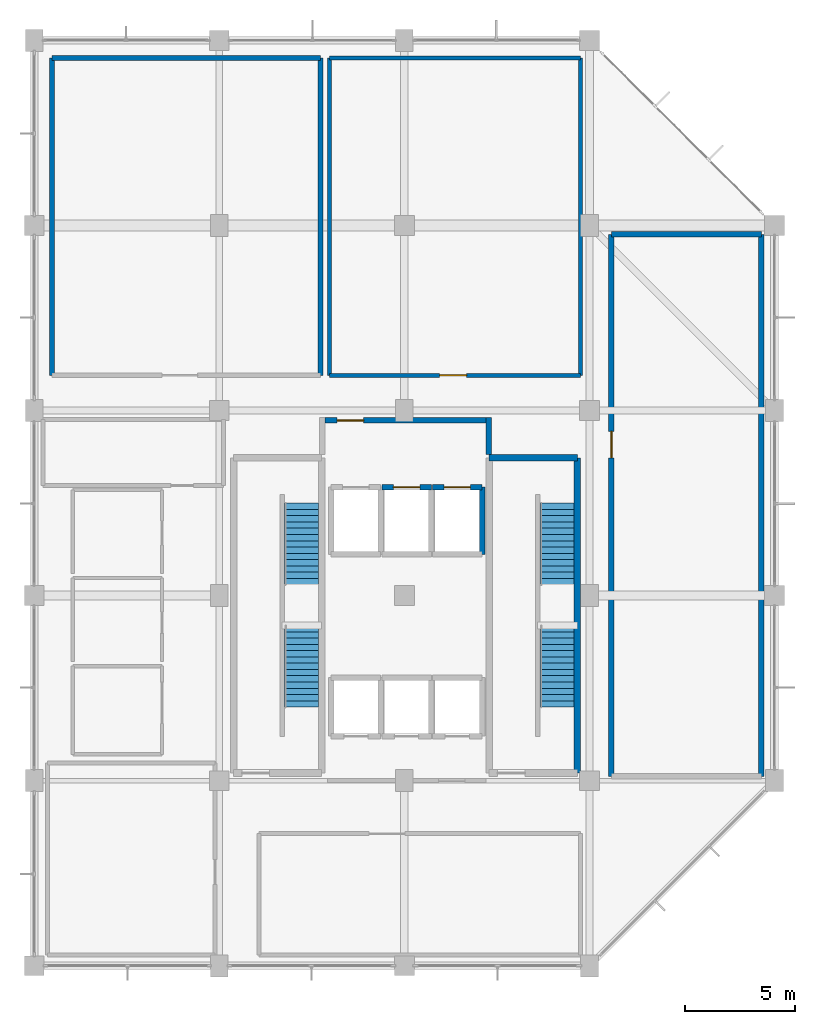
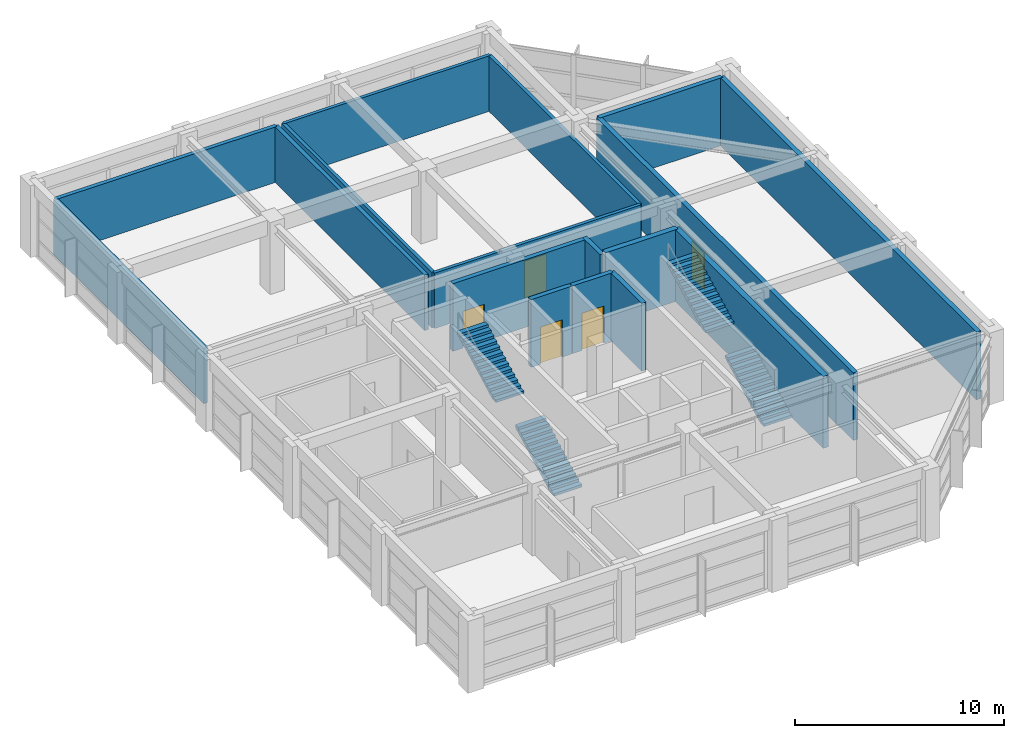
# One storey, part 11 of 12: 17 walls, 5 doors, 4 stair flights, 5 openings, 2 elements without a shape of their own.
"""IFC4 building model written with IfcOpenShell, lengths in metres."""

import ifcopenshell
import ifcopenshell.guid

model = None  # the IFC model being written
_history = None  # IfcOwnerHistory: only IFC2X3 demands one
_inside = {}  # id of a spatial element -> (the spatial element, [elements in it])
_under = {}  # id of a project, library or spatial element -> (it, [spatial elements below it])
_declared = {}  # id of a project -> (the project, [libraries it declares])
_typed = {}  # id of a type object -> (the type object, [elements of that type])
_made_of = {}  # id of a material, layer set ... -> (it, [elements and type objects made of it])


def new_model(schema):
    """Start an empty IFC model of exactly this schema.

    Asked for "IFC4X3", IfcOpenShell would pick the latest addendum, in which some entities
    have other attributes; the version numbers below select the first issue.
    IFC2X3 requires an IfcOwnerHistory on every rooted entity: one is made here for all.
    """
    global model, _history
    if schema == "IFC4X3":
        model = ifcopenshell.file(schema_version=(4, 3, 0, 0))
    else:
        model = ifcopenshell.file(schema=schema)
    _inside.clear()
    _under.clear()
    _declared.clear()
    _typed.clear()
    _made_of.clear()
    _history = None
    if model.schema == "IFC2X3":
        org = make("IfcOrganization", Name="unknown")
        user = make(
            "IfcPersonAndOrganization",
            ThePerson=make("IfcPerson", FamilyName="unknown"),
            TheOrganization=org,
        )
        app = make(
            "IfcApplication",
            ApplicationDeveloper=org,
            Version="unknown",
            ApplicationFullName="unknown",
            ApplicationIdentifier="unknown",
        )
        _history = make(
            "IfcOwnerHistory",
            OwningUser=user,
            OwningApplication=app,
            ChangeAction="ADDED",
            CreationDate=0,
        )
    return model


def make(cls, **values):
    """One entity of the class cls with the attributes given. An attribute that is None is left unset."""
    return model.create_entity(
        cls, **{name: value for name, value in values.items() if value is not None}
    )


def rooted(cls, **values):
    """An entity with a GlobalId (a new one), such as an element, a storey or a relation."""
    return make(cls, GlobalId=ifcopenshell.guid.new(), OwnerHistory=_history, **values)


def si_unit(unit_type, name, prefix=None):
    """IfcSIUnit, for example si_unit("LENGTHUNIT", "METRE", prefix="MILLI")."""
    return make("IfcSIUnit", UnitType=unit_type, Prefix=prefix, Name=name)


def assignment(units):
    """IfcUnitAssignment: the units of a project."""
    return None if units is None else make("IfcUnitAssignment", Units=units)


def point(xyz):
    """IfcCartesianPoint."""
    return None if xyz is None else make("IfcCartesianPoint", Coordinates=xyz)


def direction(xyz):
    """IfcDirection."""
    return None if xyz is None else make("IfcDirection", DirectionRatios=xyz)


def frame(location, z_axis=None, x_axis=None):
    """IfcAxis2Placement3D, a coordinate frame: its origin and axes. An axis left out is left unset."""
    return make(
        "IfcAxis2Placement3D",
        Location=point(location),
        Axis=direction(z_axis),
        RefDirection=direction(x_axis),
    )


def frame_2d(location, x_axis=None):
    """IfcAxis2Placement2D, a coordinate frame in the plane: its origin and x axis."""
    return make(
        "IfcAxis2Placement2D", Location=point(location), RefDirection=direction(x_axis)
    )


def origin():
    """The frame at (0, 0, 0) with its axes left unset."""
    return frame((0.0, 0.0, 0.0))


def place(relative_to, where):
    """IfcLocalPlacement: puts the frame where relative to a parent placement (None: the world)."""
    return make(
        "IfcLocalPlacement", PlacementRelTo=relative_to, RelativePlacement=where
    )


def context(
    kind, dimensions, precision=None, world=None, true_north=None, identifier=None
):
    """IfcGeometricRepresentationContext, for example the 3D "Model" context."""
    return make(
        "IfcGeometricRepresentationContext",
        ContextIdentifier=identifier,
        ContextType=kind,
        CoordinateSpaceDimension=dimensions,
        Precision=precision,
        WorldCoordinateSystem=world,
        TrueNorth=true_north,
    )


def subcontext(parent, identifier, kind, view, scale=None):
    """IfcGeometricRepresentationSubContext, for example "Body" below "Model"."""
    return make(
        "IfcGeometricRepresentationSubContext",
        ContextIdentifier=identifier,
        ContextType=kind,
        ParentContext=parent,
        TargetScale=scale,
        TargetView=view,
    )


def project(units=None, contexts=None):
    """IfcProject with its units and contexts."""
    return rooted(
        "IfcProject",
        Name="project",
        RepresentationContexts=contexts,
        UnitsInContext=assignment(units),
    )


def spatial(cls, under=None, at=None, **own):
    """A site, building, storey or space (cls), placed at a placement, below another one or the project."""
    s = rooted(cls, ObjectPlacement=at, **own)
    if under is not None:
        _under.setdefault(under.id(), (under, []))[1].append(s)
    return s


def polyline(points):
    """IfcPolyline through the points."""
    return make("IfcPolyline", Points=[point(p) for p in points])


def profile(cls, at=None, kind="AREA", **sizes):
    """A parametric profile (cls). Its sizes go by their IFC names, for example OverallWidth=200.0."""
    return make(cls, ProfileType=kind, Position=at, **sizes)


def rectangle(**sizes):
    """IfcRectangleProfileDef."""
    return profile("IfcRectangleProfileDef", **sizes)


def outline(outer, holes=None, kind="AREA"):
    """IfcArbitraryClosedProfileDef: a profile drawn as a closed curve; with holes, ...WithVoids."""
    if holes is None:
        return make("IfcArbitraryClosedProfileDef", ProfileType=kind, OuterCurve=outer)
    return make(
        "IfcArbitraryProfileDefWithVoids",
        ProfileType=kind,
        OuterCurve=outer,
        InnerCurves=holes,
    )


def extrude(swept, where, along, depth):
    """IfcExtrudedAreaSolid: the profile swept, set in the frame where, extruded along a direction by depth."""
    return make(
        "IfcExtrudedAreaSolid",
        SweptArea=swept,
        Position=where,
        ExtrudedDirection=direction(along),
        Depth=depth,
    )


def shape(context_of_items, identifier, shape_type, items):
    """IfcShapeRepresentation: the items that make up one representation, for example the "Body"."""
    return make(
        "IfcShapeRepresentation",
        ContextOfItems=context_of_items,
        RepresentationIdentifier=identifier,
        RepresentationType=shape_type,
        Items=items,
    )


def material(Name=None, Category=None):
    """IfcMaterial."""
    return make("IfcMaterial", Name=Name, Category=Category)


def layer(
    of_material, thickness, ventilated=None, Name=None, Category=None, Priority=None
):
    """IfcMaterialLayer: one layer of a wall or slab, of a material (None: an air gap)."""
    return make(
        "IfcMaterialLayer",
        Material=of_material,
        LayerThickness=thickness,
        IsVentilated=ventilated,
        Name=Name,
        Category=Category,
        Priority=Priority,
    )


def layer_set(layers, Name=None):
    """IfcMaterialLayerSet."""
    return make("IfcMaterialLayerSet", MaterialLayers=layers, LayerSetName=Name)


def made_of(thing, what):
    """Note that an element or type object is made of a material, layer set ...; save() writes the relation."""
    if what is not None:
        _made_of.setdefault(what.id(), (what, []))[1].append(thing)
    return thing


def type_object(cls, material=None, **own):
    """A type object (cls), such as IfcWallType, which elements share."""
    return made_of(rooted(cls, **own), material)


def element(
    cls,
    number,
    at=None,
    inside=None,
    cuts=None,
    type_object=None,
    material=None,
    context=None,
    identifier="Body",
    shape_type=None,
    held_by="IfcProductDefinitionShape",
    body=None,
    shapes=None,
    **own,
):
    """One element of the class cls, such as IfcWall. Its Tag is "e" and its number.

    at: its placement. inside: the storey or other place that contains it. cuts: it is an
    opening in that element (IfcRelVoidsElement). A single representation is given by context,
    identifier, shape_type and body (its items); several are given by shapes. held_by: the class
    of the entity that holds the representations. save() writes the other relations.
    """
    e = rooted(cls, Tag="e%d" % number, ObjectPlacement=at, **own)
    if body is not None:
        shapes = [shape(context, identifier, shape_type, body)]
    if shapes is not None:
        e.Representation = make(held_by, Representations=shapes)
    if inside is not None:
        _inside.setdefault(inside.id(), (inside, []))[1].append(e)
    if cuts is not None:
        rooted(
            "IfcRelVoidsElement", RelatingBuildingElement=cuts, RelatedOpeningElement=e
        )
    if type_object is not None:
        _typed.setdefault(type_object.id(), (type_object, []))[1].append(e)
    return made_of(e, material)


def fill(opening, filler):
    """IfcRelFillsElement: the door or window that sits in an opening."""
    return rooted(
        "IfcRelFillsElement",
        RelatingOpeningElement=opening,
        RelatedBuildingElement=filler,
    )


def aggregate(whole, parts):
    """IfcRelAggregates: a whole, such as a stair, and the parts it consists of."""
    return rooted("IfcRelAggregates", RelatingObject=whole, RelatedObjects=parts)


def save(model, path):
    """Write the relations noted so far, then the file.

    IfcRelAggregates (storeys below a building ...), IfcRelContainedInSpatialStructure (elements
    in a storey), IfcRelDefinesByType, IfcRelAssociatesMaterial and IfcRelDeclares: one each for
    every whole, place, type object, material and project.
    """
    for whole, parts in _under.values():
        aggregate(whole, parts)
    for where, things in _inside.values():
        rooted(
            "IfcRelContainedInSpatialStructure",
            RelatedElements=things,
            RelatingStructure=where,
        )
    for kind, things in _typed.values():
        rooted("IfcRelDefinesByType", RelatedObjects=things, RelatingType=kind)
    for what, things in _made_of.values():
        rooted("IfcRelAssociatesMaterial", RelatedObjects=things, RelatingMaterial=what)
    for by, libraries in _declared.values():
        rooted("IfcRelDeclares", RelatingContext=by, RelatedDefinitions=libraries)
    model.write(path)


model = new_model("IFC4")

# Units and contexts
model_context = context("Model", 3, precision=1e-05, world=origin(), true_north=direction((0.0, 1.0)))
body_context = subcontext(model_context, "Body", "Model", "MODEL_VIEW")
ifc_project = project(units=[si_unit("LENGTHUNIT", "METRE"), si_unit("AREAUNIT", "SQUARE_METRE"), si_unit("VOLUMEUNIT", "CUBIC_METRE"), si_unit("PLANEANGLEUNIT", "RADIAN"), si_unit("MASSUNIT", "GRAM", prefix="KILO")], contexts=[model_context])

# Site, building, storey
site_placement = place(None, origin())
site = spatial("IfcSite", under=ifc_project, at=site_placement, CompositionType="ELEMENT")
building_placement = place(site_placement, origin())
building = spatial("IfcBuilding", under=site, at=building_placement, Name="Xuanlan Plaza Opera House", CompositionType="ELEMENT")
storey_placement = place(building_placement, frame((0.0, 0.0, 65.699951171875)))
storey = spatial("IfcBuildingStorey", under=building, at=storey_placement, Name="L15", CompositionType="ELEMENT", Elevation=65.699951171875)

# Wall, opening, door
ifc_material_1 = material(Name="Gypsum Board and Galvanised Steel Studs", Category="gypsum")
ifc_layer_1 = layer(ifc_material_1, 0.179931640625)
ifc_layer_set_1 = layer_set([ifc_layer_1], Name="Gypsum Board and Galvanised Steel Studs")
wall_type_1 = type_object("IfcWallType", Name="INT-WL-PW-02", PredefinedType="PARTITIONING", material=ifc_layer_set_1)
wall_1_placement = place(storey_placement, frame((139.39990234375, 68.800048828125, 0.0), z_axis=(0.0, 0.0, 1.0), x_axis=(1.0, 0.0, 0.0)))
wall_1 = element("IfcWall", 1, at=wall_1_placement, inside=storey, type_object=wall_type_1, Name="Patron Salon and Cultural Council Room Wall South", PredefinedType="PARTITIONING", context=body_context, shape_type="SweptSolid", body=[
    extrude(rectangle(XDim=11.400146484375, YDim=0.179931640625, at=frame_2d((5.7001953125, 0.0))), origin(), (0.0, 0.0, 1.0), 3.239990234375),
])
opening_1_placement = place(wall_1_placement, frame((5.0, 0.0, 0.0)))
opening_1 = element("IfcOpeningElement", 2, at=opening_1_placement, cuts=wall_1, Name="Opening D-05", PredefinedType="OPENING", context=body_context, shape_type="SweptSolid", body=[
    extrude(rectangle(XDim=1.219970703125, YDim=2.14990234375, at=frame_2d((0.60986328125, 1.074951171875))), frame((0.0, 0.099853515625, 0.0), z_axis=(0.0, -1.0, 0.0), x_axis=(1.0, 0.0, 0.0)), (0.0, 0.0, 1.0), 0.199951171875),
])
ifc_material_2 = material(Name="Walnut Hardwood Timber", Category="wood")
door_type_1 = type_object("IfcDoorType", Name="INT-DR-D-05", OperationType="NOTDEFINED", PredefinedType="DOOR", material=ifc_material_2)
door_1_placement = place(opening_1_placement, origin())
door_1 = element("IfcDoor", 3, at=door_1_placement, inside=storey, type_object=door_type_1, Name="Patron Salon and Cultural Council Room Door 1", OperationType="SINGLE_SWING_LEFT", OverallHeight=2.14990234375, OverallWidth=1.219970703125, PredefinedType="DOOR", context=body_context, shape_type="SweptSolid", body=[
    extrude(rectangle(XDim=1.219970703125, YDim=2.14990234375, at=frame_2d((0.60986328125, 1.074951171875))), frame((0.0, 0.02490234375, 0.0), z_axis=(0.0, -1.0, 0.0), x_axis=(1.0, 0.0, 0.0)), (0.0, 0.0, 1.0), 0.050048828125),
])
fill(opening_1, door_1)

# Walls
wall_2_placement = place(storey_placement, frame((139.39990234375, 83.199951171875, 0.0), z_axis=(0.0, 0.0, 1.0), x_axis=(1.0, 0.0, 0.0)))
element("IfcWall", 4, at=wall_2_placement, inside=storey, type_object=wall_type_1, Name="Patron Salon and Cultural Council Room Wall North", PredefinedType="PARTITIONING", context=body_context, shape_type="SweptSolid", body=[
    extrude(rectangle(XDim=11.400146484375, YDim=0.179931640625, at=frame_2d((5.7001953125, 0.0))), origin(), (0.0, 0.0, 1.0), 3.239990234375),
])
for number, where, z_axis, x_axis, name in (
    (5, (139.39990234375, 68.800048828125, 0.0), (0.0, 0.0, 1.0), (0.0, 1.0, 0.0), "Patron Salon and Cultural Council Room Wall West"),
    (6, (150.800048828125, 68.800048828125, 0.0), (0.0, 0.0, 1.0), (0.0, 1.0, 0.0), "Patron Salon and Cultural Council Room Wall East"),
):
    element("IfcWall", number, at=place(storey_placement, frame(where, z_axis=z_axis, x_axis=x_axis)), inside=storey, type_object=wall_type_1, Name=name, PredefinedType="PARTITIONING", context=body_context, shape_type="SweptSolid", body=[
        extrude(rectangle(XDim=14.39990234375, YDim=0.179931640625, at=frame_2d((7.199951171875, 0.0))), origin(), (0.0, 0.0, 1.0), 3.239990234375),
    ])
ifc_material_3 = material(Name="Autoclaved Aerated Blockwork Masonry", Category="masonry")
ifc_layer_2 = layer(ifc_material_3, 0.219970703125)
ifc_layer_set_2 = layer_set([ifc_layer_2], Name="Autoclaved Aerated Blockwork Masonry")
wall_type_2 = type_object("IfcWallType", Name="INT-WL-PW-06", PredefinedType="PARTITIONING", material=ifc_layer_set_2)
wall_3_placement = place(storey_placement, frame((126.800048828125, 83.199951171875, 0.0), z_axis=(0.0, 0.0, 1.0), x_axis=(1.0, 0.0, 0.0)))
element("IfcWall", 7, at=wall_3_placement, inside=storey, type_object=wall_type_2, Name="Endowment Executive Suite West Wall North", PredefinedType="PARTITIONING", context=body_context, shape_type="SweptSolid", body=[
    extrude(rectangle(XDim=12.199951171875, YDim=0.219970703125, at=frame_2d((6.10009765625, 0.0))), origin(), (0.0, 0.0, 1.0), 3.239990234375),
])
for number, where, z_axis, x_axis, name in (
    (8, (126.800048828125, 68.800048828125, 0.0), (0.0, 0.0, 1.0), (0.0, 1.0, 0.0), "Endowment Executive Suite West Wall West"),
    (9, (139.0, 68.800048828125, 0.0), (0.0, 0.0, 1.0), (0.0, 1.0, 0.0), "Endowment Executive Suite West Wall East"),
):
    element("IfcWall", number, at=place(storey_placement, frame(where, z_axis=z_axis, x_axis=x_axis)), inside=storey, type_object=wall_type_2, Name=name, PredefinedType="PARTITIONING", context=body_context, shape_type="SweptSolid", body=[
        extrude(rectangle(XDim=14.39990234375, YDim=0.219970703125, at=frame_2d((7.199951171875, 0.0))), origin(), (0.0, 0.0, 1.0), 3.239990234375),
    ])

# Wall, opening, door
ifc_material_4 = material(Name="Concrete C40", Category="concrete")
ifc_layer_3 = layer(ifc_material_4, 0.25)
ifc_layer_set_3 = layer_set([ifc_layer_3], Name="Concrete C40")
wall_type_3 = type_object("IfcWallType", Name="INT-WL-SW-LF1", PredefinedType="SHEAR", material=ifc_layer_set_3)
wall_4_placement = place(storey_placement, frame((141.77490234375, 63.72509765625, 0.0), z_axis=(0.0, 0.0, 1.0), x_axis=(1.0, 0.0, 0.0)))
wall_4 = element("IfcWall", 10, at=wall_4_placement, inside=storey, type_object=wall_type_3, Name="Lift Shaft Wall LF-FF2 L15 North", PredefinedType="SHEAR", context=body_context, shape_type="SweptSolid", body=[
    extrude(rectangle(XDim=2.25, YDim=0.25, at=frame_2d((1.125, 0.0))), origin(), (0.0, 0.0, 1.0), 3.9599609375),
])
opening_2_placement = place(wall_4_placement, frame((0.52490234375, 0.0, 0.0)))
opening_2 = element("IfcOpeningElement", 11, at=opening_2_placement, cuts=wall_4, Name="Opening LD-FF2-L15", PredefinedType="OPENING", context=body_context, shape_type="SweptSolid", body=[
    extrude(rectangle(XDim=1.199951171875, YDim=2.179931640625, at=frame_2d((0.60009765625, 1.08984375))), frame((0.0, 0.135009765625, 0.0), z_axis=(0.0, -1.0, 0.0), x_axis=(1.0, 0.0, 0.0)), (0.0, 0.0, 1.0), 0.27001953125),
])
ifc_material_5 = material(Name="Stainless Steel S30408", Category="steel")
door_type_2 = type_object("IfcDoorType", Name="INT-DR-LD-02", OperationType="DOUBLE_DOOR_SLIDING", PredefinedType="DOOR", material=ifc_material_5)
door_2_placement = place(opening_2_placement, origin())
door_2 = element("IfcDoor", 12, at=door_2_placement, inside=storey, type_object=door_type_2, Name="Lift Sliding Landing Door LF-FF2 L15", OperationType="DOUBLE_DOOR_SLIDING", OverallHeight=2.179931640625, OverallWidth=1.199951171875, PredefinedType="DOOR", context=body_context, shape_type="SweptSolid", body=[
    extrude(rectangle(XDim=1.199951171875, YDim=2.179931640625, at=frame_2d((0.60009765625, 1.08984375))), frame((0.0, 0.02490234375, 0.0), z_axis=(0.0, -1.0, 0.0), x_axis=(1.0, 0.0, 0.0)), (0.0, 0.0, 1.0), 0.050048828125),
])
fill(opening_2, door_2)

wall_5_placement = place(storey_placement, frame((144.074951171875, 63.72509765625, 0.0), z_axis=(0.0, 0.0, 1.0), x_axis=(1.0, 0.0, 0.0)))
wall_5 = element("IfcWall", 13, at=wall_5_placement, inside=storey, type_object=wall_type_3, Name="Lift Shaft Wall LF-FF3 L15 North", PredefinedType="SHEAR", context=body_context, shape_type="SweptSolid", body=[
    extrude(rectangle(XDim=2.25, YDim=0.25, at=frame_2d((1.125, 0.0))), origin(), (0.0, 0.0, 1.0), 3.9599609375),
])
opening_3_placement = place(wall_5_placement, frame((0.52490234375, 0.0, 0.0)))
opening_3 = element("IfcOpeningElement", 14, at=opening_3_placement, cuts=wall_5, Name="Opening LD-FF3-L15", PredefinedType="OPENING", context=body_context, shape_type="SweptSolid", body=[
    extrude(rectangle(XDim=1.199951171875, YDim=2.179931640625, at=frame_2d((0.60009765625, 1.08984375))), frame((0.0, 0.135009765625, 0.0), z_axis=(0.0, -1.0, 0.0), x_axis=(1.0, 0.0, 0.0)), (0.0, 0.0, 1.0), 0.27001953125),
])
door_3_placement = place(opening_3_placement, origin())
door_3 = element("IfcDoor", 15, at=door_3_placement, inside=storey, type_object=door_type_2, Name="Lift Sliding Landing Door LF-FF3 L15", OperationType="DOUBLE_DOOR_SLIDING", OverallHeight=2.179931640625, OverallWidth=1.199951171875, PredefinedType="DOOR", context=body_context, shape_type="SweptSolid", body=[
    extrude(rectangle(XDim=1.199951171875, YDim=2.179931640625, at=frame_2d((0.60009765625, 1.08984375))), frame((0.0, 0.02490234375, 0.0), z_axis=(0.0, -1.0, 0.0), x_axis=(1.0, 0.0, 0.0)), (0.0, 0.0, 1.0), 0.050048828125),
])
fill(opening_3, door_3)

# Walls
wall_6_placement = place(storey_placement, frame((146.324951171875, 60.675048828125, 0.0), z_axis=(0.0, 0.0, 1.0), x_axis=(0.0, 1.0, 0.0)))
element("IfcWall", 16, at=wall_6_placement, inside=storey, type_object=wall_type_3, Name="Lift Shaft Wall LF-FF3 L15 East", PredefinedType="SHEAR", context=body_context, shape_type="SweptSolid", body=[
    extrude(rectangle(XDim=3.050048828125, YDim=0.25, at=frame_2d((1.52490234375, 0.0))), origin(), (0.0, 0.0, 1.0), 3.9599609375),
])
wall_7_placement = place(storey_placement, frame((146.625, 65.199951171875, 0.0), z_axis=(0.0, 0.0, 1.0), x_axis=(0.0, 1.0, 0.0)))
element("IfcWall", 17, at=wall_7_placement, inside=storey, type_object=wall_type_3, Name="Firefighting Lift Lobby Enclosure Wall L15 E", PredefinedType="SHEAR", context=body_context, shape_type="SweptSolid", body=[
    extrude(rectangle(XDim=1.675048828125, YDim=0.25, at=frame_2d((0.83740234375, 0.0))), origin(), (0.0, 0.0, 1.0), 3.9599609375),
])

# Wall, opening, door
wall_8_placement = place(storey_placement, frame((139.199951171875, 66.75, 0.0), z_axis=(0.0, 0.0, 1.0), x_axis=(1.0, 0.0, 0.0)))
wall_8 = element("IfcWall", 18, at=wall_8_placement, inside=storey, type_object=wall_type_3, Name="Firefighting Lift Lobby Wall North", PredefinedType="SHEAR", context=body_context, shape_type="SweptSolid", body=[
    extrude(rectangle(XDim=7.300048828125, YDim=0.25, at=frame_2d((3.64990234375, 0.0))), origin(), (0.0, 0.0, 1.0), 3.9599609375),
])
opening_4_placement = place(wall_8_placement, frame((0.550048828125, 0.0, 0.0)))
opening_4 = element("IfcOpeningElement", 19, at=opening_4_placement, cuts=wall_8, Name="Opening FD-02", PredefinedType="OPENING", context=body_context, shape_type="SweptSolid", body=[
    extrude(rectangle(XDim=1.199951171875, YDim=2.14990234375, at=frame_2d((0.60009765625, 1.074951171875))), frame((0.0, 0.135009765625, 0.0), z_axis=(0.0, -1.0, 0.0), x_axis=(1.0, 0.0, 0.0)), (0.0, 0.0, 1.0), 0.27001953125),
])
ifc_material_6 = material(Name="Galvanised Steel Q235B", Category="steel")
door_type_3 = type_object("IfcDoorType", Name="INT-DR-FD-02", OperationType="NOTDEFINED", PredefinedType="DOOR", material=ifc_material_6)
door_4_placement = place(opening_4_placement, origin())
door_4 = element("IfcDoor", 20, at=door_4_placement, inside=storey, type_object=door_type_3, Name="Firefighting Lift Lobby Door 1", OperationType="SINGLE_SWING_RIGHT", OverallHeight=2.14990234375, OverallWidth=1.199951171875, PredefinedType="DOOR", context=body_context, shape_type="SweptSolid", body=[
    extrude(rectangle(XDim=1.199951171875, YDim=2.14990234375, at=frame_2d((0.60009765625, 1.074951171875))), frame((0.0, 0.02490234375, 0.0), z_axis=(0.0, -1.0, 0.0), x_axis=(1.0, 0.0, 0.0)), (0.0, 0.0, 1.0), 0.050048828125),
])
fill(opening_4, door_4)

# Wall
wall_9_placement = place(storey_placement, frame((152.199951171875, 75.199951171875, 0.0), z_axis=(0.0, 0.0, 1.0), x_axis=(1.0, 0.0, 0.0)))
element("IfcWall", 21, at=wall_9_placement, inside=storey, type_object=wall_type_3, Name="Orchestral Sheet-Music Archive Wall North", PredefinedType="SHEAR", context=body_context, shape_type="SweptSolid", body=[
    extrude(rectangle(XDim=6.800048828125, YDim=0.25, at=frame_2d((3.39990234375, 0.0))), origin(), (0.0, 0.0, 1.0), 3.9599609375),
])

# Wall, opening, door
wall_10_placement = place(storey_placement, frame((152.199951171875, 50.60009765625, 0.0), z_axis=(0.0, 0.0, 1.0), x_axis=(0.0, 1.0, 0.0)))
wall_10 = element("IfcWall", 22, at=wall_10_placement, inside=storey, type_object=wall_type_3, Name="Orchestral Sheet-Music Archive Wall West", PredefinedType="SHEAR", context=body_context, shape_type="SweptSolid", body=[
    extrude(rectangle(XDim=24.599853515625, YDim=0.25, at=frame_2d((12.2998046875, 0.0))), origin(), (0.0, 0.0, 1.0), 3.9599609375),
])
opening_5_placement = place(wall_10_placement, frame((14.449951171875, 0.0, 0.0)))
opening_5 = element("IfcOpeningElement", 23, at=opening_5_placement, cuts=wall_10, Name="Opening FD-02", PredefinedType="OPENING", context=body_context, shape_type="SweptSolid", body=[
    extrude(rectangle(XDim=1.199951171875, YDim=2.14990234375, at=frame_2d((0.60009765625, 1.074951171875))), frame((0.0, 0.135009765625, 0.0), z_axis=(0.0, -1.0, 0.0), x_axis=(1.0, 0.0, 0.0)), (0.0, 0.0, 1.0), 0.27001953125),
])
door_5_placement = place(opening_5_placement, origin())
door_5 = element("IfcDoor", 24, at=door_5_placement, inside=storey, type_object=door_type_3, Name="Orchestral Sheet-Music Archive Door 1", OperationType="SINGLE_SWING_RIGHT", OverallHeight=2.14990234375, OverallWidth=1.199951171875, PredefinedType="DOOR", context=body_context, shape_type="SweptSolid", body=[
    extrude(rectangle(XDim=1.199951171875, YDim=2.14990234375, at=frame_2d((0.60009765625, 1.074951171875))), frame((0.0, 0.02490234375, 0.0), z_axis=(0.0, -1.0, 0.0), x_axis=(1.0, 0.0, 0.0)), (0.0, 0.0, 1.0), 0.050048828125),
])
fill(opening_5, door_5)

# Walls
wall_11_placement = place(storey_placement, frame((159.0, 50.60009765625, 0.0), z_axis=(0.0, 0.0, 1.0), x_axis=(0.0, 1.0, 0.0)))
element("IfcWall", 25, at=wall_11_placement, inside=storey, type_object=wall_type_3, Name="Orchestral Sheet-Music Archive Wall East", PredefinedType="SHEAR", context=body_context, shape_type="SweptSolid", body=[
    extrude(rectangle(XDim=24.599853515625, YDim=0.25, at=frame_2d((12.2998046875, 0.0))), origin(), (0.0, 0.0, 1.0), 3.9599609375),
])
ifc_layer_4 = layer(ifc_material_4, 0.300048828125)
ifc_layer_set_4 = layer_set([ifc_layer_4], Name="Concrete C40")
wall_type_4 = type_object("IfcWallType", Name="INT-WL-SW-ST1", PredefinedType="SHEAR", material=ifc_layer_set_4)
wall_12_placement = place(storey_placement, frame((146.64990234375, 65.050048828125, 0.0), z_axis=(0.0, 0.0, 1.0), x_axis=(1.0, 0.0, 0.0)))
element("IfcWall", 26, at=wall_12_placement, inside=storey, type_object=wall_type_4, Name="Stair Core Wall ST-T2 L15 North", PredefinedType="SHEAR", context=body_context, shape_type="SweptSolid", body=[
    extrude(rectangle(XDim=4.0, YDim=0.300048828125, at=frame_2d((2.0, 0.0))), origin(), (0.0, 0.0, 1.0), 4.199951171875),
])
wall_13_placement = place(storey_placement, frame((150.64990234375, 50.75, 0.0), z_axis=(0.0, 0.0, 1.0), x_axis=(0.0, 1.0, 0.0)))
element("IfcWall", 27, at=wall_13_placement, inside=storey, type_object=wall_type_4, Name="Stair Core Wall ST-T2 L15 East", PredefinedType="SHEAR", context=body_context, shape_type="SweptSolid", body=[
    extrude(rectangle(XDim=14.300048828125, YDim=0.300048828125, at=frame_2d((7.14990234375, 0.0))), origin(), (0.0, 0.0, 1.0), 4.199951171875),
])

# Stair, stair flights
stair_type = type_object("IfcStairType", Name="INT-ST-STR-T155", PredefinedType="STRAIGHT_RUN_STAIR", material=ifc_material_4)
stair_1_placement = place(storey_placement, origin())
stair_1 = element("IfcStair", 28, at=stair_1_placement, inside=storey, type_object=stair_type, Name="Protected Exit Stair ST-T1 L15", PredefinedType="STRAIGHT_RUN_STAIR")
ifc_layer_5 = layer(ifc_material_4, 0.159912109375)
ifc_layer_set_5 = layer_set([ifc_layer_5], Name="Concrete C40")
stair_flight_type = type_object("IfcStairFlightType", Name="INT-FL-FL-155", PredefinedType="STRAIGHT", material=ifc_layer_set_5)
stair_flight_1_placement = place(storey_placement, frame((138.125, 53.739990234375, 0.0), z_axis=(0.0, 0.0, 1.0), x_axis=(0.0, 1.0, 0.0)))
stair_flight_1 = element("IfcStairFlight", 29, at=stair_flight_1_placement, type_object=stair_flight_type, Name="ST-T1-L15 flight 1", NumberOfRisers=14, NumberOfTreads=13, PredefinedType="STRAIGHT", RiserHeight=0.15, TreadLength=0.285, context=body_context, shape_type="SweptSolid", body=[
    extrude(outline(polyline([(0.0, 0.0), (0.0, 0.14990234375), (0.284912109375, 0.14990234375), (0.284912109375, 0.300048828125), (0.570068359375, 0.300048828125), (0.570068359375, 0.449951171875), (0.85498046875, 0.449951171875), (0.85498046875, 0.60009765625), (1.139892578125, 0.60009765625), (1.139892578125, 0.75), (1.425048828125, 0.75), (1.425048828125, 0.89990234375), (1.7099609375, 0.89990234375), (1.7099609375, 1.050048828125), (1.9951171875, 1.050048828125), (1.9951171875, 1.199951171875), (2.280029296875, 1.199951171875), (2.280029296875, 1.35009765625), (2.56494140625, 1.35009765625), (2.56494140625, 1.5), (2.85009765625, 1.5), (2.85009765625, 1.64990234375), (3.135009765625, 1.64990234375), (3.135009765625, 1.800048828125), (3.419921875, 1.800048828125), (3.419921875, 1.949951171875), (3.705078125, 1.949951171875), (3.705078125, 2.10009765625), (3.705078125, 1.769287109375), (0.34326171875, 0.0), (0.0, 0.0)])), frame((0.0, 0.77490234375, 0.0), z_axis=(0.0, -1.0, 0.0), x_axis=(1.0, 0.0, 0.0)), (0.0, 0.0, 1.0), 1.550048828125),
])
stair_flight_2_placement = place(storey_placement, frame((138.125, 59.294921875, 2.10009765625), z_axis=(0.0, 0.0, 1.0), x_axis=(0.0, 1.0, 0.0)))
stair_flight_2 = element("IfcStairFlight", 30, at=stair_flight_2_placement, type_object=stair_flight_type, Name="ST-T1-L15 flight 2", NumberOfRisers=14, NumberOfTreads=13, PredefinedType="STRAIGHT", RiserHeight=0.15, TreadLength=0.285, context=body_context, shape_type="SweptSolid", body=[
    extrude(outline(polyline([(0.0, 0.0), (0.0, 0.14990234375), (0.284912109375, 0.14990234375), (0.284912109375, 0.300048828125), (0.570068359375, 0.300048828125), (0.570068359375, 0.449951171875), (0.85498046875, 0.449951171875), (0.85498046875, 0.60009765625), (1.139892578125, 0.60009765625), (1.139892578125, 0.75), (1.425048828125, 0.75), (1.425048828125, 0.89990234375), (1.7099609375, 0.89990234375), (1.7099609375, 1.050048828125), (1.9951171875, 1.050048828125), (1.9951171875, 1.199951171875), (2.280029296875, 1.199951171875), (2.280029296875, 1.35009765625), (2.56494140625, 1.35009765625), (2.56494140625, 1.5), (2.85009765625, 1.5), (2.85009765625, 1.64990234375), (3.135009765625, 1.64990234375), (3.135009765625, 1.800048828125), (3.419921875, 1.800048828125), (3.419921875, 1.949951171875), (3.705078125, 1.949951171875), (3.705078125, 2.10009765625), (3.705078125, 1.769287109375), (0.34326171875, 0.0), (0.0, 0.0)])), frame((0.0, 0.77490234375, 0.0), z_axis=(0.0, -1.0, 0.0), x_axis=(1.0, 0.0, 0.0)), (0.0, 0.0, 1.0), 1.550048828125),
])
aggregate(stair_1, [stair_flight_1, stair_flight_2])

stair_2_placement = place(storey_placement, origin())
stair_2 = element("IfcStair", 31, at=stair_2_placement, inside=storey, type_object=stair_type, Name="Protected Exit Stair ST-T2 L15", PredefinedType="STRAIGHT_RUN_STAIR")
stair_flight_3_placement = place(storey_placement, frame((149.72509765625, 53.739990234375, 0.0), z_axis=(0.0, 0.0, 1.0), x_axis=(0.0, 1.0, 0.0)))
stair_flight_3 = element("IfcStairFlight", 32, at=stair_flight_3_placement, type_object=stair_flight_type, Name="ST-T2-L15 flight 1", NumberOfRisers=14, NumberOfTreads=13, PredefinedType="STRAIGHT", RiserHeight=0.15, TreadLength=0.285, context=body_context, shape_type="SweptSolid", body=[
    extrude(outline(polyline([(0.0, 0.0), (0.0, 0.14990234375), (0.284912109375, 0.14990234375), (0.284912109375, 0.300048828125), (0.570068359375, 0.300048828125), (0.570068359375, 0.449951171875), (0.85498046875, 0.449951171875), (0.85498046875, 0.60009765625), (1.139892578125, 0.60009765625), (1.139892578125, 0.75), (1.425048828125, 0.75), (1.425048828125, 0.89990234375), (1.7099609375, 0.89990234375), (1.7099609375, 1.050048828125), (1.9951171875, 1.050048828125), (1.9951171875, 1.199951171875), (2.280029296875, 1.199951171875), (2.280029296875, 1.35009765625), (2.56494140625, 1.35009765625), (2.56494140625, 1.5), (2.85009765625, 1.5), (2.85009765625, 1.64990234375), (3.135009765625, 1.64990234375), (3.135009765625, 1.800048828125), (3.419921875, 1.800048828125), (3.419921875, 1.949951171875), (3.705078125, 1.949951171875), (3.705078125, 2.10009765625), (3.705078125, 1.769287109375), (0.34326171875, 0.0), (0.0, 0.0)])), frame((0.0, 0.77490234375, 0.0), z_axis=(0.0, -1.0, 0.0), x_axis=(1.0, 0.0, 0.0)), (0.0, 0.0, 1.0), 1.550048828125),
])
stair_flight_4_placement = place(storey_placement, frame((149.72509765625, 59.294921875, 2.10009765625), z_axis=(0.0, 0.0, 1.0), x_axis=(0.0, 1.0, 0.0)))
stair_flight_4 = element("IfcStairFlight", 33, at=stair_flight_4_placement, type_object=stair_flight_type, Name="ST-T2-L15 flight 2", NumberOfRisers=14, NumberOfTreads=13, PredefinedType="STRAIGHT", RiserHeight=0.15, TreadLength=0.285, context=body_context, shape_type="SweptSolid", body=[
    extrude(outline(polyline([(0.0, 0.0), (0.0, 0.14990234375), (0.284912109375, 0.14990234375), (0.284912109375, 0.300048828125), (0.570068359375, 0.300048828125), (0.570068359375, 0.449951171875), (0.85498046875, 0.449951171875), (0.85498046875, 0.60009765625), (1.139892578125, 0.60009765625), (1.139892578125, 0.75), (1.425048828125, 0.75), (1.425048828125, 0.89990234375), (1.7099609375, 0.89990234375), (1.7099609375, 1.050048828125), (1.9951171875, 1.050048828125), (1.9951171875, 1.199951171875), (2.280029296875, 1.199951171875), (2.280029296875, 1.35009765625), (2.56494140625, 1.35009765625), (2.56494140625, 1.5), (2.85009765625, 1.5), (2.85009765625, 1.64990234375), (3.135009765625, 1.64990234375), (3.135009765625, 1.800048828125), (3.419921875, 1.800048828125), (3.419921875, 1.949951171875), (3.705078125, 1.949951171875), (3.705078125, 2.10009765625), (3.705078125, 1.769287109375), (0.34326171875, 0.0), (0.0, 0.0)])), frame((0.0, 0.77490234375, 0.0), z_axis=(0.0, -1.0, 0.0), x_axis=(1.0, 0.0, 0.0)), (0.0, 0.0, 1.0), 1.550048828125),
])
aggregate(stair_2, [stair_flight_3, stair_flight_4])

save(model, "model.ifc")
